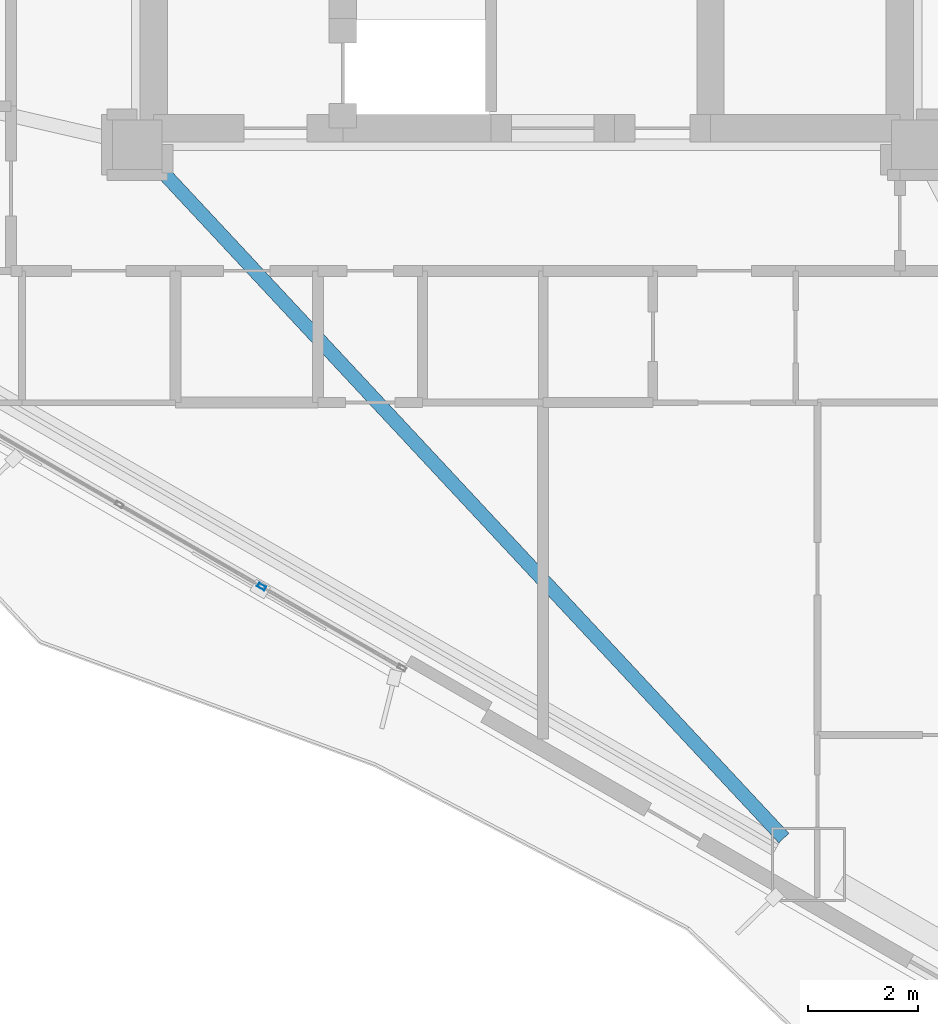
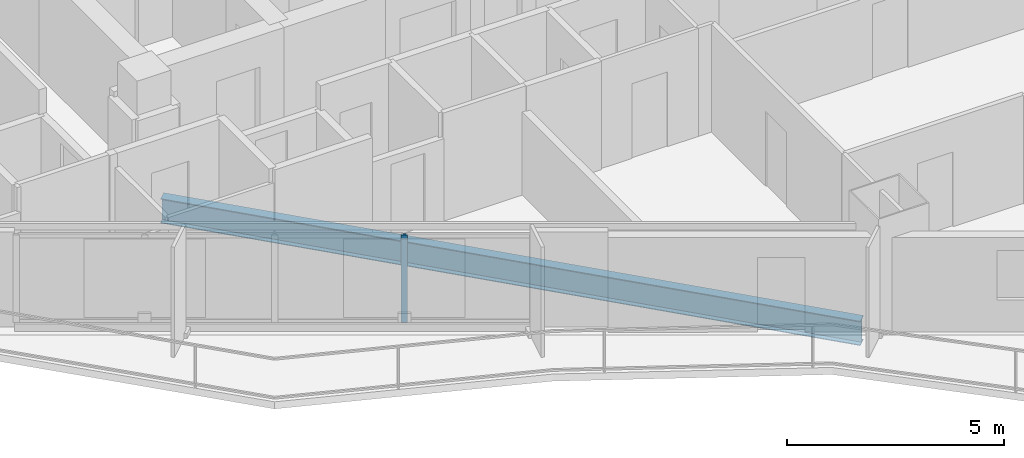
# One storey, part 4 of 19: 1 beam, 1 member, 1 element without a shape of its own.
"""IFC4 building model written with IfcOpenShell, lengths in metres."""

import ifcopenshell
import ifcopenshell.guid

model = None  # the IFC model being written
_history = None  # IfcOwnerHistory: only IFC2X3 demands one
_inside = {}  # id of a spatial element -> (the spatial element, [elements in it])
_under = {}  # id of a project, library or spatial element -> (it, [spatial elements below it])
_declared = {}  # id of a project -> (the project, [libraries it declares])
_typed = {}  # id of a type object -> (the type object, [elements of that type])
_made_of = {}  # id of a material, layer set ... -> (it, [elements and type objects made of it])


def new_model(schema):
    """Start an empty IFC model of exactly this schema.

    Asked for "IFC4X3", IfcOpenShell would pick the latest addendum, in which some entities
    have other attributes; the version numbers below select the first issue.
    IFC2X3 requires an IfcOwnerHistory on every rooted entity: one is made here for all.
    """
    global model, _history
    if schema == "IFC4X3":
        model = ifcopenshell.file(schema_version=(4, 3, 0, 0))
    else:
        model = ifcopenshell.file(schema=schema)
    _inside.clear()
    _under.clear()
    _declared.clear()
    _typed.clear()
    _made_of.clear()
    _history = None
    if model.schema == "IFC2X3":
        org = make("IfcOrganization", Name="unknown")
        user = make(
            "IfcPersonAndOrganization",
            ThePerson=make("IfcPerson", FamilyName="unknown"),
            TheOrganization=org,
        )
        app = make(
            "IfcApplication",
            ApplicationDeveloper=org,
            Version="unknown",
            ApplicationFullName="unknown",
            ApplicationIdentifier="unknown",
        )
        _history = make(
            "IfcOwnerHistory",
            OwningUser=user,
            OwningApplication=app,
            ChangeAction="ADDED",
            CreationDate=0,
        )
    return model


def make(cls, **values):
    """One entity of the class cls with the attributes given. An attribute that is None is left unset."""
    return model.create_entity(
        cls, **{name: value for name, value in values.items() if value is not None}
    )


def rooted(cls, **values):
    """An entity with a GlobalId (a new one), such as an element, a storey or a relation."""
    return make(cls, GlobalId=ifcopenshell.guid.new(), OwnerHistory=_history, **values)


def si_unit(unit_type, name, prefix=None):
    """IfcSIUnit, for example si_unit("LENGTHUNIT", "METRE", prefix="MILLI")."""
    return make("IfcSIUnit", UnitType=unit_type, Prefix=prefix, Name=name)


def assignment(units):
    """IfcUnitAssignment: the units of a project."""
    return None if units is None else make("IfcUnitAssignment", Units=units)


def point(xyz):
    """IfcCartesianPoint."""
    return None if xyz is None else make("IfcCartesianPoint", Coordinates=xyz)


def direction(xyz):
    """IfcDirection."""
    return None if xyz is None else make("IfcDirection", DirectionRatios=xyz)


def frame(location, z_axis=None, x_axis=None):
    """IfcAxis2Placement3D, a coordinate frame: its origin and axes. An axis left out is left unset."""
    return make(
        "IfcAxis2Placement3D",
        Location=point(location),
        Axis=direction(z_axis),
        RefDirection=direction(x_axis),
    )


def frame_2d(location, x_axis=None):
    """IfcAxis2Placement2D, a coordinate frame in the plane: its origin and x axis."""
    return make(
        "IfcAxis2Placement2D", Location=point(location), RefDirection=direction(x_axis)
    )


def origin():
    """The frame at (0, 0, 0) with its axes left unset."""
    return frame((0.0, 0.0, 0.0))


def origin_2d():
    """The frame at (0, 0) in the plane with its x axis left unset."""
    return frame_2d((0.0, 0.0))


def place(relative_to, where):
    """IfcLocalPlacement: puts the frame where relative to a parent placement (None: the world)."""
    return make(
        "IfcLocalPlacement", PlacementRelTo=relative_to, RelativePlacement=where
    )


def context(
    kind, dimensions, precision=None, world=None, true_north=None, identifier=None
):
    """IfcGeometricRepresentationContext, for example the 3D "Model" context."""
    return make(
        "IfcGeometricRepresentationContext",
        ContextIdentifier=identifier,
        ContextType=kind,
        CoordinateSpaceDimension=dimensions,
        Precision=precision,
        WorldCoordinateSystem=world,
        TrueNorth=true_north,
    )


def subcontext(parent, identifier, kind, view, scale=None):
    """IfcGeometricRepresentationSubContext, for example "Body" below "Model"."""
    return make(
        "IfcGeometricRepresentationSubContext",
        ContextIdentifier=identifier,
        ContextType=kind,
        ParentContext=parent,
        TargetScale=scale,
        TargetView=view,
    )


def project(units=None, contexts=None):
    """IfcProject with its units and contexts."""
    return rooted(
        "IfcProject",
        Name="project",
        RepresentationContexts=contexts,
        UnitsInContext=assignment(units),
    )


def spatial(cls, under=None, at=None, **own):
    """A site, building, storey or space (cls), placed at a placement, below another one or the project."""
    s = rooted(cls, ObjectPlacement=at, **own)
    if under is not None:
        _under.setdefault(under.id(), (under, []))[1].append(s)
    return s


def profile(cls, at=None, kind="AREA", **sizes):
    """A parametric profile (cls). Its sizes go by their IFC names, for example OverallWidth=200.0."""
    return make(cls, ProfileType=kind, Position=at, **sizes)


def hollow_rectangle(**sizes):
    """IfcRectangleHollowProfileDef."""
    return profile("IfcRectangleHollowProfileDef", **sizes)


def i_section(**sizes):
    """IfcIShapeProfileDef."""
    return profile("IfcIShapeProfileDef", **sizes)


def extrude(swept, where, along, depth):
    """IfcExtrudedAreaSolid: the profile swept, set in the frame where, extruded along a direction by depth."""
    return make(
        "IfcExtrudedAreaSolid",
        SweptArea=swept,
        Position=where,
        ExtrudedDirection=direction(along),
        Depth=depth,
    )


def shape(context_of_items, identifier, shape_type, items):
    """IfcShapeRepresentation: the items that make up one representation, for example the "Body"."""
    return make(
        "IfcShapeRepresentation",
        ContextOfItems=context_of_items,
        RepresentationIdentifier=identifier,
        RepresentationType=shape_type,
        Items=items,
    )


def material(Name=None, Category=None):
    """IfcMaterial."""
    return make("IfcMaterial", Name=Name, Category=Category)


def layer(
    of_material, thickness, ventilated=None, Name=None, Category=None, Priority=None
):
    """IfcMaterialLayer: one layer of a wall or slab, of a material (None: an air gap)."""
    return make(
        "IfcMaterialLayer",
        Material=of_material,
        LayerThickness=thickness,
        IsVentilated=ventilated,
        Name=Name,
        Category=Category,
        Priority=Priority,
    )


def layer_set(layers, Name=None):
    """IfcMaterialLayerSet."""
    return make("IfcMaterialLayerSet", MaterialLayers=layers, LayerSetName=Name)


def material_profile(
    of_material, cross_section, Name=None, Category=None, Priority=None
):
    """IfcMaterialProfile: a cross section and its material."""
    return make(
        "IfcMaterialProfile",
        Name=Name,
        Material=of_material,
        Profile=cross_section,
        Priority=Priority,
        Category=Category,
    )


def profile_set(profiles, Name=None, composite=None):
    """IfcMaterialProfileSet."""
    return make(
        "IfcMaterialProfileSet",
        Name=Name,
        MaterialProfiles=profiles,
        CompositeProfile=composite,
    )


def made_of(thing, what):
    """Note that an element or type object is made of a material, layer set ...; save() writes the relation."""
    if what is not None:
        _made_of.setdefault(what.id(), (what, []))[1].append(thing)
    return thing


def type_object(cls, material=None, **own):
    """A type object (cls), such as IfcWallType, which elements share."""
    return made_of(rooted(cls, **own), material)


def element(
    cls,
    number,
    at=None,
    inside=None,
    cuts=None,
    type_object=None,
    material=None,
    context=None,
    identifier="Body",
    shape_type=None,
    held_by="IfcProductDefinitionShape",
    body=None,
    shapes=None,
    **own,
):
    """One element of the class cls, such as IfcWall. Its Tag is "e" and its number.

    at: its placement. inside: the storey or other place that contains it. cuts: it is an
    opening in that element (IfcRelVoidsElement). A single representation is given by context,
    identifier, shape_type and body (its items); several are given by shapes. held_by: the class
    of the entity that holds the representations. save() writes the other relations.
    """
    e = rooted(cls, Tag="e%d" % number, ObjectPlacement=at, **own)
    if body is not None:
        shapes = [shape(context, identifier, shape_type, body)]
    if shapes is not None:
        e.Representation = make(held_by, Representations=shapes)
    if inside is not None:
        _inside.setdefault(inside.id(), (inside, []))[1].append(e)
    if cuts is not None:
        rooted(
            "IfcRelVoidsElement", RelatingBuildingElement=cuts, RelatedOpeningElement=e
        )
    if type_object is not None:
        _typed.setdefault(type_object.id(), (type_object, []))[1].append(e)
    return made_of(e, material)


def aggregate(whole, parts):
    """IfcRelAggregates: a whole, such as a stair, and the parts it consists of."""
    return rooted("IfcRelAggregates", RelatingObject=whole, RelatedObjects=parts)


def save(model, path):
    """Write the relations noted so far, then the file.

    IfcRelAggregates (storeys below a building ...), IfcRelContainedInSpatialStructure (elements
    in a storey), IfcRelDefinesByType, IfcRelAssociatesMaterial and IfcRelDeclares: one each for
    every whole, place, type object, material and project.
    """
    for whole, parts in _under.values():
        aggregate(whole, parts)
    for where, things in _inside.values():
        rooted(
            "IfcRelContainedInSpatialStructure",
            RelatedElements=things,
            RelatingStructure=where,
        )
    for kind, things in _typed.values():
        rooted("IfcRelDefinesByType", RelatedObjects=things, RelatingType=kind)
    for what, things in _made_of.values():
        rooted("IfcRelAssociatesMaterial", RelatedObjects=things, RelatingMaterial=what)
    for by, libraries in _declared.values():
        rooted("IfcRelDeclares", RelatingContext=by, RelatedDefinitions=libraries)
    model.write(path)


model = new_model("IFC4")

# Units and contexts
model_context = context("Model", 3, precision=1e-05, world=origin(), true_north=direction((0.0, 1.0)))
body_context = subcontext(model_context, "Body", "Model", "MODEL_VIEW")
ifc_project = project(units=[si_unit("LENGTHUNIT", "METRE"), si_unit("AREAUNIT", "SQUARE_METRE"), si_unit("VOLUMEUNIT", "CUBIC_METRE"), si_unit("PLANEANGLEUNIT", "RADIAN"), si_unit("MASSUNIT", "GRAM", prefix="KILO")], contexts=[model_context])

# Site, building, storey
site_placement = place(None, origin())
site = spatial("IfcSite", under=ifc_project, at=site_placement, CompositionType="ELEMENT")
building_placement = place(site_placement, origin())
building = spatial("IfcBuilding", under=site, at=building_placement, Name="Mersakhor Tower and Convention Hall", CompositionType="ELEMENT")
storey_placement = place(building_placement, frame((0.0, 0.0, 45.60009765625)))
storey = spatial("IfcBuildingStorey", under=building, at=storey_placement, Name="L12", CompositionType="ELEMENT", Elevation=45.60009765625)

# Beam
ifc_material_1 = material(Name="Steel S355", Category="steel")
ifc_material_profile_1 = material_profile(ifc_material_1, i_section(OverallWidth=0.25439453125, OverallDepth=0.6875, WebThickness=0.01318359375, FlangeThickness=0.02099609375, at=origin_2d()), Name="UB 686x254x152")
ifc_profile_set_1 = profile_set([ifc_material_profile_1], Name="Steel S355")
beam_type = type_object("IfcBeamType", Name="BM-PR-686", PredefinedType="BEAM", material=ifc_profile_set_1)
beam_placement = place(storey_placement, frame((22.193359375, 20.135498046875, -0.603759765625), z_axis=(0.68200435324, -0.731348112845, 0.0), x_axis=(0.731348112845, 0.68200435324, 0.0)))
element("IfcBeam", 1, at=beam_placement, inside=storey, type_object=beam_type, Name="L12 Primary Floor Girder FG-5", PredefinedType="BEAM", context=body_context, shape_type="SweptSolid", body=[
    extrude(i_section(OverallWidth=0.25439453125, OverallDepth=0.6875, WebThickness=0.01318359375, FlangeThickness=0.02099609375, at=origin_2d()), origin(), (0.0, 0.0, 1.0), 16.85205078125),
])

# Curtain wall, member
ifc_material_2 = material(Name="Dark solar low-E aluminium curtain wall", Category="aluminium")
ifc_layer = layer(ifc_material_2, 0.159912109375)
ifc_layer_set = layer_set([ifc_layer], Name="Dark solar low-E aluminium curtain wall")
curtain_wall_type = type_object("IfcCurtainWallType", Name="CW-SYS-01", PredefinedType="USERDEFINED", material=ifc_layer_set)
curtain_wall_placement = place(storey_placement, origin())
curtain_wall = element("IfcCurtainWall", 2, at=curtain_wall_placement, inside=storey, type_object=curtain_wall_type, Name="L12 Dark-Glass Curtain Wall F3-B2", ObjectType="CURTAIN WALL", PredefinedType="USERDEFINED")
ifc_material_3 = material(Name="Anodised aluminium EN AW-6063 T6", Category="aluminium")
ifc_material_profile_2 = material_profile(ifc_material_3, hollow_rectangle(XDim=0.074951171875, YDim=0.14990234375, WallThickness=0.00634765625, at=origin_2d()), Name="RHS 150x75x6.3")
ifc_profile_set_2 = profile_set([ifc_material_profile_2], Name="Anodised aluminium EN AW-6063 T6")
member_type = type_object("IfcMemberType", Name="CWM-150x75", PredefinedType="MULLION", material=ifc_profile_set_2)
member_placement = place(storey_placement, frame((24.167236328125, 12.392822265625, 0.199951171875), z_axis=(0.0, 0.0, 1.0), x_axis=(-0.50000344889, -0.866023412558, 0.0)))
member = element("IfcMember", 3, at=member_placement, type_object=member_type, Name="CW-01 mullion 2", PredefinedType="MULLION", context=body_context, shape_type="SweptSolid", body=[
    extrude(hollow_rectangle(XDim=0.074951171875, YDim=0.14990234375, WallThickness=0.00634765625, at=origin_2d()), origin(), (0.0, 0.0, 1.0), 2.4599609375),
])
aggregate(curtain_wall, [member])

save(model, "model.ifc")
